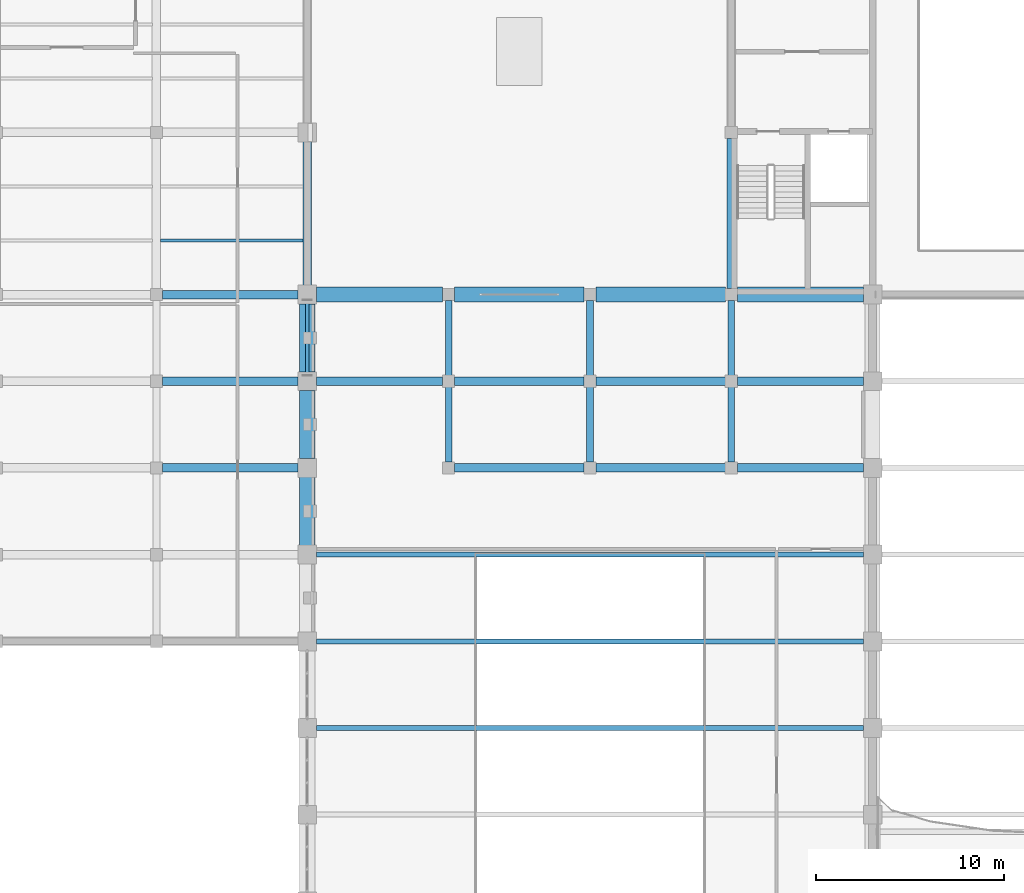
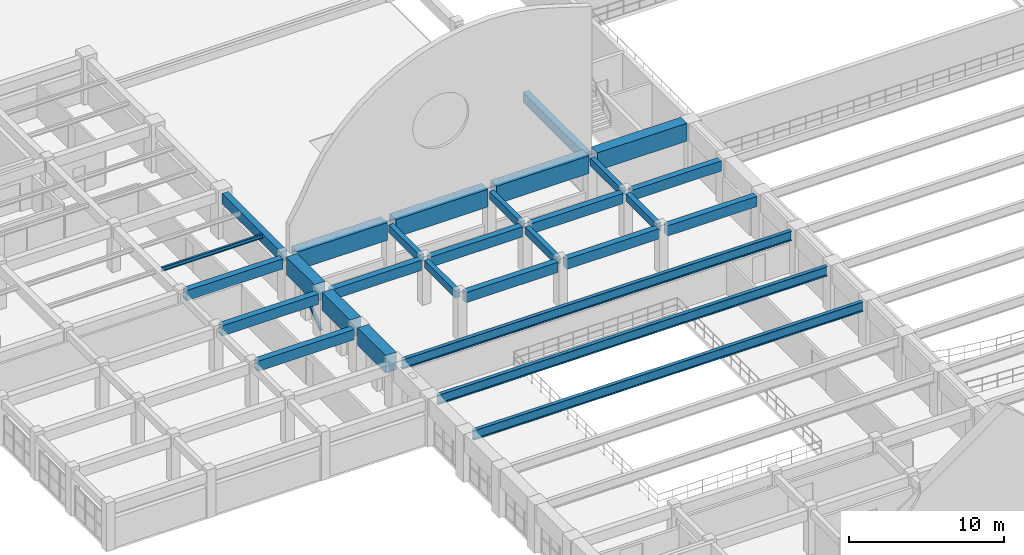
# One storey, part 15 of 74: 29 beams, 1 member.
"""IFC4 building model written with IfcOpenShell, lengths in metres."""

from ifc_helpers import new_model, si_unit, direction, frame, origin, origin_2d, place, context, subcontext, project, spatial, rectangle, hollow_rectangle, i_section, extrude, material, material_profile, profile_set, type_object, element, save


model = new_model("IFC4")

# Units and contexts
model_context = context("Model", 3, precision=1e-05, world=origin(), true_north=direction((0.0, 1.0)))
body_context = subcontext(model_context, "Body", "Model", "MODEL_VIEW")
ifc_project = project(units=[si_unit("LENGTHUNIT", "METRE"), si_unit("AREAUNIT", "SQUARE_METRE"), si_unit("VOLUMEUNIT", "CUBIC_METRE"), si_unit("PLANEANGLEUNIT", "RADIAN"), si_unit("MASSUNIT", "GRAM", prefix="KILO")], contexts=[model_context])

# Site, building, storey
site_placement = place(None, origin())
site = spatial("IfcSite", under=ifc_project, at=site_placement, CompositionType="ELEMENT")
building_placement = place(site_placement, origin())
building = spatial("IfcBuilding", under=site, at=building_placement, Name="Muzn Square Opera House", CompositionType="ELEMENT")
storey_placement = place(building_placement, frame((0.0, 0.0, 14.199951171875)))
storey = spatial("IfcBuildingStorey", under=building, at=storey_placement, Name="L03", CompositionType="ELEMENT", Elevation=14.199951171875)

# Beams
ifc_material_1 = material(Name="Steel S355", Category="steel")
ifc_material_profile_1 = material_profile(ifc_material_1, i_section(OverallWidth=0.264892578125, OverallDepth=0.7529296875, WebThickness=0.01318359375, FlangeThickness=0.01708984375, FilletRadius=0.01708984375, at=origin_2d()), Name="IPE 750x147", Category="steel")
ifc_profile_set_1 = profile_set([ifc_material_profile_1], Name="Steel S355")
beam_type_1 = type_object("IfcBeamType", Name="Long Span Foyer Beam IPE750", PredefinedType="BEAM", material=ifc_profile_set_1)
for number, where, z_axis, x_axis, name in (
    (1, (43.491943359375, 49.60009765625, 3.1435546875), (1.0, 0.0, 0.0), (0.0, 1.0, 0.0), "Primary Girder BM-L03-BM-LF750-435_496_725_496-2448"),
    (2, (43.491943359375, 54.199951171875, 3.1435546875), (1.0, 0.0, 0.0), (0.0, 1.0, 0.0), "Primary Girder BM-L03-BM-LF750-435_542_725_542-2454"),
    (3, (43.491943359375, 58.800048828125, 3.1435546875), (1.0, 0.0, 0.0), (0.0, 1.0, 0.0), "Primary Girder BM-L03-BM-LF750-435_588_725_588-2460"),
):
    element("IfcBeam", number, at=place(storey_placement, frame(where, z_axis=z_axis, x_axis=x_axis)), inside=storey, type_object=beam_type_1, Name=name, PredefinedType="BEAM", context=body_context, shape_type="SweptSolid", body=[
        extrude(i_section(OverallWidth=0.264892578125, OverallDepth=0.7529296875, WebThickness=0.01318359375, FlangeThickness=0.01708984375, FilletRadius=0.01708984375, at=origin_2d()), origin(), (0.0, 0.0, 1.0), 29.01611328125),
    ])
ifc_material_2 = material(Name="Concrete C40/50", Category="concrete")
ifc_material_profile_2 = material_profile(ifc_material_2, rectangle(XDim=0.35009765625, YDim=0.60009765625, at=origin_2d()), Name="RCB 350x600", Category="concrete")
ifc_profile_set_2 = profile_set([ifc_material_profile_2], Name="Concrete C40/50")
beam_type_2 = type_object("IfcBeamType", Name="Primary Girder 350x600", PredefinedType="BEAM", material=ifc_profile_set_2)
for number, where, z_axis, x_axis, name in (
    (4, (50.5, 63.717041015625, 3.219970703125), (0.0, 1.0, 0.0), (-1.0, 0.0, 0.0), "Primary Girder BM-L03-BM-PG600-505_637_505_677-2558"),
    (5, (50.5, 68.31689453125, 3.219970703125), (0.0, 1.0, 0.0), (-1.0, 0.0, 0.0), "Primary Girder BM-L03-BM-PG600-505_683_505_723-2559"),
    (6, (58.0, 63.717041015625, 3.219970703125), (0.0, 1.0, 0.0), (-1.0, 0.0, 0.0), "Primary Girder BM-L03-BM-PG600-580_637_580_677-2563"),
    (7, (58.0, 68.31689453125, 3.219970703125), (0.0, 1.0, 0.0), (-1.0, 0.0, 0.0), "Primary Girder BM-L03-BM-PG600-580_683_580_723-2564"),
    (8, (65.5, 63.717041015625, 3.219970703125), (0.0, 1.0, 0.0), (-1.0, 0.0, 0.0), "Primary Girder BM-L03-BM-PG600-655_637_655_677-2568"),
    (9, (65.5, 68.31689453125, 3.219970703125), (0.0, 1.0, 0.0), (-1.0, 0.0, 0.0), "Primary Girder BM-L03-BM-PG600-655_683_655_723-2569"),
):
    element("IfcBeam", number, at=place(storey_placement, frame(where, z_axis=z_axis, x_axis=x_axis)), inside=storey, type_object=beam_type_2, Name=name, PredefinedType="BEAM", context=body_context, shape_type="SweptSolid", body=[
        extrude(rectangle(XDim=0.35009765625, YDim=0.60009765625, at=origin_2d()), origin(), (0.0, 0.0, 1.0), 3.966064453125),
    ])
ifc_material_profile_3 = material_profile(ifc_material_2, rectangle(XDim=0.449951171875, YDim=0.800048828125, at=origin_2d()), Name="RCB 450x800", Category="concrete")
ifc_profile_set_3 = profile_set([ifc_material_profile_3], Name="Concrete C40/50")
beam_type_3 = type_object("IfcBeamType", Name="Primary Girder 450x800", PredefinedType="BEAM", material=ifc_profile_set_3)
beam_1_placement = place(storey_placement, frame((35.31689453125, 63.39990234375, 3.14013671875), z_axis=(1.0, 0.0, 0.0), x_axis=(0.0, 1.0, 0.0)))
element("IfcBeam", 10, at=beam_1_placement, inside=storey, type_object=beam_type_3, Name="Primary Girder BM-L03-BM-PG800-353_634_425_634-2465", PredefinedType="BEAM", context=body_context, shape_type="SweptSolid", body=[
    extrude(rectangle(XDim=0.449951171875, YDim=0.800048828125, at=origin_2d()), origin(), (0.0, 0.0, 1.0), 7.191162109375),
])
for number, where, z_axis, x_axis, name in (
    (11, (50.81689453125, 63.39990234375, 3.1201171875), (1.0, 0.0, 0.0), (0.0, 1.0, 0.0), "Primary Girder BM-L03-BM-PG800-508_634_577_634-2466"),
    (12, (58.31689453125, 63.39990234375, 3.1201171875), (1.0, 0.0, 0.0), (0.0, 1.0, 0.0), "Primary Girder BM-L03-BM-PG800-583_634_652_634-2467"),
):
    element("IfcBeam", number, at=place(storey_placement, frame(where, z_axis=z_axis, x_axis=x_axis)), inside=storey, type_object=beam_type_3, Name=name, PredefinedType="BEAM", context=body_context, shape_type="SweptSolid", body=[
        extrude(rectangle(XDim=0.449951171875, YDim=0.800048828125, at=origin_2d()), origin(), (0.0, 0.0, 1.0), 6.8662109375),
    ])
beam_2_placement = place(storey_placement, frame((65.81689453125, 63.39990234375, 3.1201171875), z_axis=(1.0, 0.0, 0.0), x_axis=(0.0, 1.0, 0.0)))
element("IfcBeam", 13, at=beam_2_placement, inside=storey, type_object=beam_type_3, Name="Primary Girder BM-L03-BM-PG800-658_634_725_634-2468", PredefinedType="BEAM", context=body_context, shape_type="SweptSolid", body=[
    extrude(rectangle(XDim=0.449951171875, YDim=0.800048828125, at=origin_2d()), origin(), (0.0, 0.0, 1.0), 6.691162109375),
])
beam_3_placement = place(storey_placement, frame((35.31689453125, 68.0, 3.14013671875), z_axis=(1.0, 0.0, 0.0), x_axis=(0.0, 1.0, 0.0)))
element("IfcBeam", 14, at=beam_3_placement, inside=storey, type_object=beam_type_3, Name="Primary Girder BM-L03-BM-PG800-353_680_425_680-2475", PredefinedType="BEAM", context=body_context, shape_type="SweptSolid", body=[
    extrude(rectangle(XDim=0.449951171875, YDim=0.800048828125, at=origin_2d()), origin(), (0.0, 0.0, 1.0), 7.191162109375),
])
beam_4_placement = place(storey_placement, frame((43.491943359375, 68.0, 3.1201171875), z_axis=(1.0, 0.0, 0.0), x_axis=(0.0, 1.0, 0.0)))
element("IfcBeam", 15, at=beam_4_placement, inside=storey, type_object=beam_type_3, Name="Primary Girder BM-L03-BM-PG800-435_680_502_680-2476", PredefinedType="BEAM", context=body_context, shape_type="SweptSolid", body=[
    extrude(rectangle(XDim=0.449951171875, YDim=0.800048828125, at=origin_2d()), origin(), (0.0, 0.0, 1.0), 6.691162109375),
])
for number, where, z_axis, x_axis, name in (
    (16, (50.81689453125, 68.0, 3.1201171875), (1.0, 0.0, 0.0), (0.0, 1.0, 0.0), "Primary Girder BM-L03-BM-PG800-508_680_577_680-2477"),
    (17, (58.31689453125, 68.0, 3.1201171875), (1.0, 0.0, 0.0), (0.0, 1.0, 0.0), "Primary Girder BM-L03-BM-PG800-583_680_652_680-2478"),
):
    element("IfcBeam", number, at=place(storey_placement, frame(where, z_axis=z_axis, x_axis=x_axis)), inside=storey, type_object=beam_type_3, Name=name, PredefinedType="BEAM", context=body_context, shape_type="SweptSolid", body=[
        extrude(rectangle(XDim=0.449951171875, YDim=0.800048828125, at=origin_2d()), origin(), (0.0, 0.0, 1.0), 6.8662109375),
    ])
beam_5_placement = place(storey_placement, frame((65.81689453125, 68.0, 3.1201171875), z_axis=(1.0, 0.0, 0.0), x_axis=(0.0, 1.0, 0.0)))
element("IfcBeam", 18, at=beam_5_placement, inside=storey, type_object=beam_type_3, Name="Primary Girder BM-L03-BM-PG800-658_680_725_680-2479", PredefinedType="BEAM", context=body_context, shape_type="SweptSolid", body=[
    extrude(rectangle(XDim=0.449951171875, YDim=0.800048828125, at=origin_2d()), origin(), (0.0, 0.0, 1.0), 6.691162109375),
])
beam_6_placement = place(storey_placement, frame((35.31689453125, 72.60009765625, 3.1201171875), z_axis=(1.0, 0.0, 0.0), x_axis=(0.0, 1.0, 0.0)))
element("IfcBeam", 19, at=beam_6_placement, inside=storey, type_object=beam_type_3, Name="Primary Girder BM-L03-BM-PG800-353_726_425_726-2487", PredefinedType="BEAM", context=body_context, shape_type="SweptSolid", body=[
    extrude(rectangle(XDim=0.449951171875, YDim=0.800048828125, at=origin_2d()), origin(), (0.0, 0.0, 1.0), 7.191162109375),
])
beam_7_placement = place(storey_placement, frame((43.0, 73.092041015625, 3.1201171875), z_axis=(0.0, 1.0, 0.0), x_axis=(-1.0, 0.0, 0.0)))
element("IfcBeam", 20, at=beam_7_placement, inside=storey, type_object=beam_type_3, Name="Primary Girder BM-L03-BM-PG800-430_731_430_807-2552", PredefinedType="BEAM", context=body_context, shape_type="SweptSolid", body=[
    extrude(rectangle(XDim=0.449951171875, YDim=0.800048828125, at=origin_2d()), origin(), (0.0, 0.0, 1.0), 7.615966796875),
])
beam_8_placement = place(storey_placement, frame((65.5, 72.9169921875, 3.1201171875), z_axis=(0.0, 1.0, 0.0), x_axis=(-1.0, 0.0, 0.0)))
element("IfcBeam", 21, at=beam_8_placement, inside=storey, type_object=beam_type_3, Name="Primary Girder BM-L03-BM-PG800-655_729_655_809-2570", PredefinedType="BEAM", context=body_context, shape_type="SweptSolid", body=[
    extrude(rectangle(XDim=0.449951171875, YDim=0.800048828125, at=origin_2d()), origin(), (0.0, 0.0, 1.0), 7.966064453125),
])
ifc_material_profile_4 = material_profile(ifc_material_1, i_section(OverallWidth=0.14990234375, OverallDepth=0.300048828125, WebThickness=0.007080078125, FlangeThickness=0.0107421875, FilletRadius=0.014892578125, at=origin_2d()), Name="IPE 300", Category="steel")
ifc_profile_set_4 = profile_set([ifc_material_profile_4], Name="Steel S355")
beam_type_4 = type_object("IfcBeamType", Name="Secondary Steel Joist IPE300", PredefinedType="JOIST", material=ifc_profile_set_4)
beam_9_placement = place(storey_placement, frame((35.217041015625, 75.466796875, 3.3701171875), z_axis=(1.0, 0.0, 0.0), x_axis=(0.0, 1.0, 0.0)))
element("IfcBeam", 22, at=beam_9_placement, inside=storey, type_object=beam_type_4, Name="Floor Joist BM-L03-BM-SJ300-352_755_428_755-2646", PredefinedType="JOIST", context=body_context, shape_type="SweptSolid", body=[
    extrude(i_section(OverallWidth=0.14990234375, OverallDepth=0.300048828125, WebThickness=0.007080078125, FlangeThickness=0.0107421875, FilletRadius=0.014892578125, at=origin_2d()), origin(), (0.0, 0.0, 1.0), 7.56591796875),
])

# Member
ifc_material_profile_5 = material_profile(ifc_material_1, hollow_rectangle(XDim=0.179931640625, YDim=0.179931640625, WallThickness=0.010009765625, at=origin_2d()), Name="SHS 180x180x10", Category="steel")
ifc_profile_set_5 = profile_set([ifc_material_profile_5], Name="Steel S355")
member_type = type_object("IfcMemberType", Name="Truss Web Brace SHS180", PredefinedType="BRACE", material=ifc_profile_set_5)
member_placement = place(storey_placement, frame((43.0, 68.300048828125, 0.199951171875), z_axis=(0.0, 0.78085021034, 0.624718295724), x_axis=(-1.0, 0.0, 0.0)))
element("IfcMember", 23, at=member_placement, inside=storey, type_object=member_type, Name="Lateral Frame Brace SBRC-13", PredefinedType="BRACE", context=body_context, shape_type="SweptSolid", body=[
    extrude(hollow_rectangle(XDim=0.179931640625, YDim=0.179931640625, WallThickness=0.010009765625, at=origin_2d()), origin(), (0.0, 0.0, 1.0), 5.12255859375),
])

# Beams
ifc_material_3 = material(Name="Concrete C45/55", Category="concrete")
ifc_material_profile_6 = material_profile(ifc_material_3, rectangle(XDim=0.800048828125, YDim=1.39990234375, at=origin_2d()), Name="RCB 800x1400", Category="concrete")
ifc_profile_set_6 = profile_set([ifc_material_profile_6], Name="Concrete C45/55")
beam_type_5 = type_object("IfcBeamType", Name="Vault Springing Girder 800x1400", PredefinedType="BEAM", material=ifc_profile_set_6)
beam_10_placement = place(storey_placement, frame((43.491943359375, 72.60009765625, 3.10009765625), z_axis=(1.0, 0.0, 0.0), x_axis=(0.0, 1.0, 0.0)))
element("IfcBeam", 24, at=beam_10_placement, inside=storey, type_object=beam_type_5, Name="Gable Support Girder BM-L03-BM-VS1400-435_726_502_726-2488", PredefinedType="BEAM", context=body_context, shape_type="SweptSolid", body=[
    extrude(rectangle(XDim=0.800048828125, YDim=1.39990234375, at=origin_2d()), origin(), (0.0, 0.0, 1.0), 6.691162109375),
])
for number, where, z_axis, x_axis, name in (
    (25, (50.81689453125, 72.60009765625, 3.10009765625), (1.0, 0.0, 0.0), (0.0, 1.0, 0.0), "Gable Support Girder BM-L03-BM-VS1400-508_726_577_726-2489"),
    (26, (58.31689453125, 72.60009765625, 3.10009765625), (1.0, 0.0, 0.0), (0.0, 1.0, 0.0), "Gable Support Girder BM-L03-BM-VS1400-583_726_652_726-2490"),
):
    element("IfcBeam", number, at=place(storey_placement, frame(where, z_axis=z_axis, x_axis=x_axis)), inside=storey, type_object=beam_type_5, Name=name, PredefinedType="BEAM", context=body_context, shape_type="SweptSolid", body=[
        extrude(rectangle(XDim=0.800048828125, YDim=1.39990234375, at=origin_2d()), origin(), (0.0, 0.0, 1.0), 6.8662109375),
    ])
beam_11_placement = place(storey_placement, frame((65.81689453125, 72.60009765625, 3.10009765625), z_axis=(1.0, 0.0, 0.0), x_axis=(0.0, 1.0, 0.0)))
element("IfcBeam", 27, at=beam_11_placement, inside=storey, type_object=beam_type_5, Name="Gable Support Girder BM-L03-BM-VS1400-658_726_725_726-2491", PredefinedType="BEAM", context=body_context, shape_type="SweptSolid", body=[
    extrude(rectangle(XDim=0.800048828125, YDim=1.39990234375, at=origin_2d()), origin(), (0.0, 0.0, 1.0), 6.691162109375),
])
for number, where, z_axis, x_axis, name in (
    (28, (43.0, 59.2919921875, 3.10009765625), (0.0, 1.0, 0.0), (-1.0, 0.0, 0.0), "Vault Springing Girder BM-L03-BM-VS1400-430_593_430_629-2549"),
    (29, (43.0, 63.89208984375, 3.10009765625), (0.0, 1.0, 0.0), (-1.0, 0.0, 0.0), "Vault Springing Girder BM-L03-BM-VS1400-430_639_430_675-2550"),
    (30, (43.0, 68.491943359375, 3.10009765625), (0.0, 1.0, 0.0), (-1.0, 0.0, 0.0), "Vault Springing Girder BM-L03-BM-VS1400-430_685_430_721-2551"),
):
    element("IfcBeam", number, at=place(storey_placement, frame(where, z_axis=z_axis, x_axis=x_axis)), inside=storey, type_object=beam_type_5, Name=name, PredefinedType="BEAM", context=body_context, shape_type="SweptSolid", body=[
        extrude(rectangle(XDim=0.800048828125, YDim=1.39990234375, at=origin_2d()), origin(), (0.0, 0.0, 1.0), 3.615966796875),
    ])

save(model, "model.ifc")
